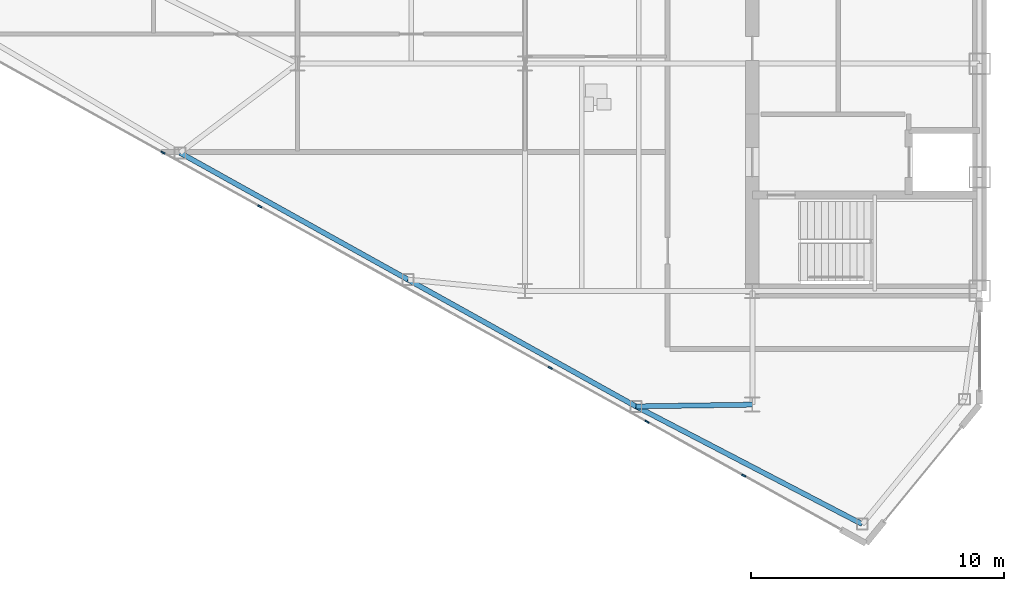
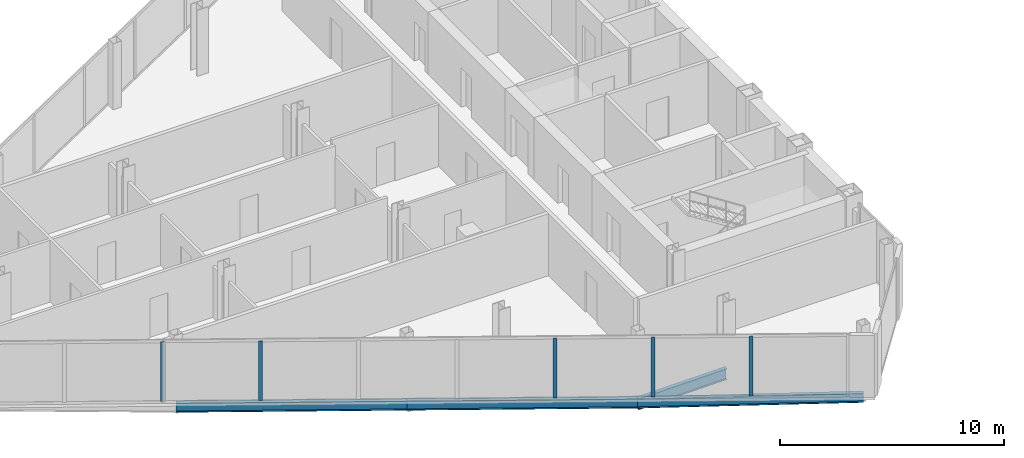
# One storey, part 3 of 26: 5 members, 4 beams, 1 element without a shape of its own.
"""IFC4 building model written with IfcOpenShell, lengths in metres."""

import ifcopenshell
import ifcopenshell.guid

model = None  # the IFC model being written
_history = None  # IfcOwnerHistory: only IFC2X3 demands one
_inside = {}  # id of a spatial element -> (the spatial element, [elements in it])
_under = {}  # id of a project, library or spatial element -> (it, [spatial elements below it])
_declared = {}  # id of a project -> (the project, [libraries it declares])
_typed = {}  # id of a type object -> (the type object, [elements of that type])
_made_of = {}  # id of a material, layer set ... -> (it, [elements and type objects made of it])


def new_model(schema):
    """Start an empty IFC model of exactly this schema.

    Asked for "IFC4X3", IfcOpenShell would pick the latest addendum, in which some entities
    have other attributes; the version numbers below select the first issue.
    IFC2X3 requires an IfcOwnerHistory on every rooted entity: one is made here for all.
    """
    global model, _history
    if schema == "IFC4X3":
        model = ifcopenshell.file(schema_version=(4, 3, 0, 0))
    else:
        model = ifcopenshell.file(schema=schema)
    _inside.clear()
    _under.clear()
    _declared.clear()
    _typed.clear()
    _made_of.clear()
    _history = None
    if model.schema == "IFC2X3":
        org = make("IfcOrganization", Name="unknown")
        user = make(
            "IfcPersonAndOrganization",
            ThePerson=make("IfcPerson", FamilyName="unknown"),
            TheOrganization=org,
        )
        app = make(
            "IfcApplication",
            ApplicationDeveloper=org,
            Version="unknown",
            ApplicationFullName="unknown",
            ApplicationIdentifier="unknown",
        )
        _history = make(
            "IfcOwnerHistory",
            OwningUser=user,
            OwningApplication=app,
            ChangeAction="ADDED",
            CreationDate=0,
        )
    return model


def make(cls, **values):
    """One entity of the class cls with the attributes given. An attribute that is None is left unset."""
    return model.create_entity(
        cls, **{name: value for name, value in values.items() if value is not None}
    )


def rooted(cls, **values):
    """An entity with a GlobalId (a new one), such as an element, a storey or a relation."""
    return make(cls, GlobalId=ifcopenshell.guid.new(), OwnerHistory=_history, **values)


def si_unit(unit_type, name, prefix=None):
    """IfcSIUnit, for example si_unit("LENGTHUNIT", "METRE", prefix="MILLI")."""
    return make("IfcSIUnit", UnitType=unit_type, Prefix=prefix, Name=name)


def assignment(units):
    """IfcUnitAssignment: the units of a project."""
    return None if units is None else make("IfcUnitAssignment", Units=units)


def point(xyz):
    """IfcCartesianPoint."""
    return None if xyz is None else make("IfcCartesianPoint", Coordinates=xyz)


def direction(xyz):
    """IfcDirection."""
    return None if xyz is None else make("IfcDirection", DirectionRatios=xyz)


def frame(location, z_axis=None, x_axis=None):
    """IfcAxis2Placement3D, a coordinate frame: its origin and axes. An axis left out is left unset."""
    return make(
        "IfcAxis2Placement3D",
        Location=point(location),
        Axis=direction(z_axis),
        RefDirection=direction(x_axis),
    )


def frame_2d(location, x_axis=None):
    """IfcAxis2Placement2D, a coordinate frame in the plane: its origin and x axis."""
    return make(
        "IfcAxis2Placement2D", Location=point(location), RefDirection=direction(x_axis)
    )


def origin():
    """The frame at (0, 0, 0) with its axes left unset."""
    return frame((0.0, 0.0, 0.0))


def origin_2d():
    """The frame at (0, 0) in the plane with its x axis left unset."""
    return frame_2d((0.0, 0.0))


def place(relative_to, where):
    """IfcLocalPlacement: puts the frame where relative to a parent placement (None: the world)."""
    return make(
        "IfcLocalPlacement", PlacementRelTo=relative_to, RelativePlacement=where
    )


def context(
    kind, dimensions, precision=None, world=None, true_north=None, identifier=None
):
    """IfcGeometricRepresentationContext, for example the 3D "Model" context."""
    return make(
        "IfcGeometricRepresentationContext",
        ContextIdentifier=identifier,
        ContextType=kind,
        CoordinateSpaceDimension=dimensions,
        Precision=precision,
        WorldCoordinateSystem=world,
        TrueNorth=true_north,
    )


def subcontext(parent, identifier, kind, view, scale=None):
    """IfcGeometricRepresentationSubContext, for example "Body" below "Model"."""
    return make(
        "IfcGeometricRepresentationSubContext",
        ContextIdentifier=identifier,
        ContextType=kind,
        ParentContext=parent,
        TargetScale=scale,
        TargetView=view,
    )


def project(units=None, contexts=None):
    """IfcProject with its units and contexts."""
    return rooted(
        "IfcProject",
        Name="project",
        RepresentationContexts=contexts,
        UnitsInContext=assignment(units),
    )


def spatial(cls, under=None, at=None, **own):
    """A site, building, storey or space (cls), placed at a placement, below another one or the project."""
    s = rooted(cls, ObjectPlacement=at, **own)
    if under is not None:
        _under.setdefault(under.id(), (under, []))[1].append(s)
    return s


def profile(cls, at=None, kind="AREA", **sizes):
    """A parametric profile (cls). Its sizes go by their IFC names, for example OverallWidth=200.0."""
    return make(cls, ProfileType=kind, Position=at, **sizes)


def rectangle(**sizes):
    """IfcRectangleProfileDef."""
    return profile("IfcRectangleProfileDef", **sizes)


def i_section(**sizes):
    """IfcIShapeProfileDef."""
    return profile("IfcIShapeProfileDef", **sizes)


def extrude(swept, where, along, depth):
    """IfcExtrudedAreaSolid: the profile swept, set in the frame where, extruded along a direction by depth."""
    return make(
        "IfcExtrudedAreaSolid",
        SweptArea=swept,
        Position=where,
        ExtrudedDirection=direction(along),
        Depth=depth,
    )


def shape(context_of_items, identifier, shape_type, items):
    """IfcShapeRepresentation: the items that make up one representation, for example the "Body"."""
    return make(
        "IfcShapeRepresentation",
        ContextOfItems=context_of_items,
        RepresentationIdentifier=identifier,
        RepresentationType=shape_type,
        Items=items,
    )


def source(mapping_origin, context_of_items, identifier, shape_type, items):
    """IfcRepresentationMap: a shape defined once, which mapped items show again and again."""
    return make(
        "IfcRepresentationMap",
        MappingOrigin=mapping_origin,
        MappedRepresentation=shape(context_of_items, identifier, shape_type, items),
    )


def transform(
    local_origin,
    x_axis=None,
    y_axis=None,
    z_axis=None,
    scale=None,
    scale2=None,
    scale3=None,
    uniform=True,
):
    """IfcCartesianTransformationOperator3D, or its non-uniform kind. x_axis, y_axis, z_axis: its Axis1, 2, 3."""
    if uniform:
        return make(
            "IfcCartesianTransformationOperator3D",
            Axis1=direction(x_axis),
            Axis2=direction(y_axis),
            LocalOrigin=point(local_origin),
            Scale=scale,
            Axis3=direction(z_axis),
        )
    return make(
        "IfcCartesianTransformationOperator3DnonUniform",
        Axis1=direction(x_axis),
        Axis2=direction(y_axis),
        LocalOrigin=point(local_origin),
        Scale=scale,
        Axis3=direction(z_axis),
        Scale2=scale2,
        Scale3=scale3,
    )


def mapped(mapping_source, mapping_target):
    """IfcMappedItem: shows the shape of a source again, moved by a transform."""
    return make(
        "IfcMappedItem", MappingSource=mapping_source, MappingTarget=mapping_target
    )


def material(Name=None, Category=None):
    """IfcMaterial."""
    return make("IfcMaterial", Name=Name, Category=Category)


def layer(
    of_material, thickness, ventilated=None, Name=None, Category=None, Priority=None
):
    """IfcMaterialLayer: one layer of a wall or slab, of a material (None: an air gap)."""
    return make(
        "IfcMaterialLayer",
        Material=of_material,
        LayerThickness=thickness,
        IsVentilated=ventilated,
        Name=Name,
        Category=Category,
        Priority=Priority,
    )


def layer_set(layers, Name=None):
    """IfcMaterialLayerSet."""
    return make("IfcMaterialLayerSet", MaterialLayers=layers, LayerSetName=Name)


def material_profile(
    of_material, cross_section, Name=None, Category=None, Priority=None
):
    """IfcMaterialProfile: a cross section and its material."""
    return make(
        "IfcMaterialProfile",
        Name=Name,
        Material=of_material,
        Profile=cross_section,
        Priority=Priority,
        Category=Category,
    )


def profile_set(profiles, Name=None, composite=None):
    """IfcMaterialProfileSet."""
    return make(
        "IfcMaterialProfileSet",
        Name=Name,
        MaterialProfiles=profiles,
        CompositeProfile=composite,
    )


def made_of(thing, what):
    """Note that an element or type object is made of a material, layer set ...; save() writes the relation."""
    if what is not None:
        _made_of.setdefault(what.id(), (what, []))[1].append(thing)
    return thing


def type_object(cls, material=None, **own):
    """A type object (cls), such as IfcWallType, which elements share."""
    return made_of(rooted(cls, **own), material)


def type_shapes(of_type, sources):
    """Give a type object the sources (RepresentationMaps) that its elements show as mapped items."""
    of_type.RepresentationMaps = sources


def element(
    cls,
    number,
    at=None,
    inside=None,
    cuts=None,
    type_object=None,
    material=None,
    context=None,
    identifier="Body",
    shape_type=None,
    held_by="IfcProductDefinitionShape",
    body=None,
    shapes=None,
    **own,
):
    """One element of the class cls, such as IfcWall. Its Tag is "e" and its number.

    at: its placement. inside: the storey or other place that contains it. cuts: it is an
    opening in that element (IfcRelVoidsElement). A single representation is given by context,
    identifier, shape_type and body (its items); several are given by shapes. held_by: the class
    of the entity that holds the representations. save() writes the other relations.
    """
    e = rooted(cls, Tag="e%d" % number, ObjectPlacement=at, **own)
    if body is not None:
        shapes = [shape(context, identifier, shape_type, body)]
    if shapes is not None:
        e.Representation = make(held_by, Representations=shapes)
    if inside is not None:
        _inside.setdefault(inside.id(), (inside, []))[1].append(e)
    if cuts is not None:
        rooted(
            "IfcRelVoidsElement", RelatingBuildingElement=cuts, RelatedOpeningElement=e
        )
    if type_object is not None:
        _typed.setdefault(type_object.id(), (type_object, []))[1].append(e)
    return made_of(e, material)


def aggregate(whole, parts):
    """IfcRelAggregates: a whole, such as a stair, and the parts it consists of."""
    return rooted("IfcRelAggregates", RelatingObject=whole, RelatedObjects=parts)


def save(model, path):
    """Write the relations noted so far, then the file.

    IfcRelAggregates (storeys below a building ...), IfcRelContainedInSpatialStructure (elements
    in a storey), IfcRelDefinesByType, IfcRelAssociatesMaterial and IfcRelDeclares: one each for
    every whole, place, type object, material and project.
    """
    for whole, parts in _under.values():
        aggregate(whole, parts)
    for where, things in _inside.values():
        rooted(
            "IfcRelContainedInSpatialStructure",
            RelatedElements=things,
            RelatingStructure=where,
        )
    for kind, things in _typed.values():
        rooted("IfcRelDefinesByType", RelatedObjects=things, RelatingType=kind)
    for what, things in _made_of.values():
        rooted("IfcRelAssociatesMaterial", RelatedObjects=things, RelatingMaterial=what)
    for by, libraries in _declared.values():
        rooted("IfcRelDeclares", RelatingContext=by, RelatedDefinitions=libraries)
    model.write(path)


model = new_model("IFC4")

# Units and contexts
model_context = context("Model", 3, precision=1e-05, world=origin(), true_north=direction((0.0, 1.0)))
body_context = subcontext(model_context, "Body", "Model", "MODEL_VIEW")
ifc_project = project(units=[si_unit("LENGTHUNIT", "METRE"), si_unit("AREAUNIT", "SQUARE_METRE"), si_unit("VOLUMEUNIT", "CUBIC_METRE"), si_unit("PLANEANGLEUNIT", "RADIAN"), si_unit("MASSUNIT", "GRAM", prefix="KILO")], contexts=[model_context])

# Site, building, storey
site_placement = place(None, origin())
site = spatial("IfcSite", under=ifc_project, at=site_placement, CompositionType="ELEMENT")
building_placement = place(site_placement, origin())
building = spatial("IfcBuilding", under=site, at=building_placement, Name="Seokmaru Belvedere", CompositionType="ELEMENT")
storey_placement = place(building_placement, frame((0.0, 0.0, 174.300048828125)))
storey = spatial("IfcBuildingStorey", under=building, at=storey_placement, Name="L46", CompositionType="ELEMENT", Elevation=174.300048828125)

# Beams
ifc_material_1 = material(Name="Steel SM355 (355 MPa)", Category="steel")
ifc_material_profile_1 = material_profile(ifc_material_1, i_section(OverallWidth=0.199951171875, OverallDepth=0.5, WebThickness=0.010009765625, FlangeThickness=0.01611328125, at=origin_2d()), Name="H-500x200x10x16")
ifc_profile_set_1 = profile_set([ifc_material_profile_1], Name="Steel SM355 (355 MPa)")
beam_type_1 = type_object("IfcBeamType", Name="Perimeter Spandrel Beam H-500", PredefinedType="SPANDREL", material=ifc_profile_set_1)
shared_shape_1 = source(origin(), body_context, "Body", "SweptSolid", [
    extrude(i_section(OverallWidth=0.199951171875, OverallDepth=0.5, WebThickness=0.010009765625, FlangeThickness=0.01611328125, at=origin_2d()), origin(), (0.0, 0.0, 1.0), 10.09716796875),
])
beam_1_placement = place(storey_placement, frame((-32.146728515625, -22.731689453125, -0.469970703125), z_axis=(-0.887085728914, 0.461604711369, 0.0), x_axis=(-0.461604711369, -0.887085728914, 0.0)))
element("IfcBeam", 1, at=beam_1_placement, inside=storey, type_object=beam_type_1, Name="L46 W Faceted Flank Spandrel S-1", PredefinedType="SPANDREL", context=body_context, shape_type="MappedRepresentation", body=[
    mapped(shared_shape_1, transform((0.0, 0.0, 0.0), scale=1.0)),
])
shared_shape_2 = source(origin(), body_context, "Body", "SweptSolid", [
    extrude(i_section(OverallWidth=0.199951171875, OverallDepth=0.5, WebThickness=0.010009765625, FlangeThickness=0.01611328125, at=origin_2d()), origin(), (0.0, 0.0, 1.0), 10.327392578125),
])
type_shapes(beam_type_1, [shared_shape_1, shared_shape_2])
for number, where, z_axis, x_axis, name in (
    (2, (-41.103759765625, -18.07080078125, -0.469970703125), (-0.873924120588, 0.486062374037, 0.0), (-0.486062374037, -0.873924120588, 0.0), "L46 W Faceted Flank Spandrel S-2"),
    (3, (-50.129150390625, -13.051025390625, -0.469970703125), (-0.873934162361, 0.48604431882, 0.0), (-0.48604431882, -0.873934162361, 0.0), "L46 W Faceted Flank Spandrel S-3"),
):
    element("IfcBeam", number, at=place(storey_placement, frame(where, z_axis=z_axis, x_axis=x_axis)), inside=storey, type_object=beam_type_1, Name=name, PredefinedType="SPANDREL", context=body_context, shape_type="MappedRepresentation", body=[
        mapped(shared_shape_2, transform((0.0, 0.0, 0.0), scale=1.0)),
    ])
ifc_material_profile_2 = material_profile(ifc_material_1, i_section(OverallWidth=0.199951171875, OverallDepth=0.60009765625, WebThickness=0.010986328125, FlangeThickness=0.01708984375, at=origin_2d()), Name="H-600x200x11x17")
ifc_profile_set_2 = profile_set([ifc_material_profile_2], Name="Steel SM355 (355 MPa)")
beam_type_2 = type_object("IfcBeamType", Name="Primary Floor Girder H-600", PredefinedType="BEAM", material=ifc_profile_set_2)
shared_shape_3 = source(origin(), body_context, "Body", "SweptSolid", [
    extrude(i_section(OverallWidth=0.199951171875, OverallDepth=0.60009765625, WebThickness=0.010986328125, FlangeThickness=0.01708984375, at=origin_2d()), origin(), (0.0, 0.0, 1.0), 4.604248046875),
])
type_shapes(beam_type_2, [shared_shape_3])
beam_2_placement = place(storey_placement, frame((-41.103759765625, -18.07080078125, -0.52001953125), z_axis=(0.999881765622, 0.01537708607, 0.0), x_axis=(-0.01537708607, 0.999881765622, 0.0)))
element("IfcBeam", 4, at=beam_2_placement, inside=storey, type_object=beam_type_2, Name="L46 W Flank Radial Floor Girder S-1", PredefinedType="BEAM", context=body_context, shape_type="MappedRepresentation", body=[
    mapped(shared_shape_3, transform((0.0, 0.0, 0.0), scale=1.0)),
])

# Curtain wall, members
ifc_material_2 = material(Name="Bronze Triple Insulating Glass", Category="glass")
ifc_layer = layer(ifc_material_2, 0.179931640625)
ifc_layer_set = layer_set([ifc_layer], Name="Bronze Triple Insulating Glass")
curtain_wall_type = type_object("IfcCurtainWallType", Name="High-Rise Wind-Corner Curtain Wall System CW-5", PredefinedType="NOTDEFINED", material=ifc_layer_set)
curtain_wall_placement = place(storey_placement, origin())
curtain_wall = element("IfcCurtainWall", 5, at=curtain_wall_placement, inside=storey, type_object=curtain_wall_type, Name="L46 Curtain Wall WF5", PredefinedType="NOTDEFINED")
ifc_material_3 = material(Name="Anodised Bronze Aluminium", Category="aluminium")
ifc_material_profile_3 = material_profile(ifc_material_3, rectangle(XDim=0.06494140625, YDim=0.179931640625, at=origin_2d()), Name="CW-M-65x180")
ifc_profile_set_3 = profile_set([ifc_material_profile_3], Name="Anodised Bronze Aluminium")
member_type = type_object("IfcMemberType", Name="Bronze Unitised Mullion 65x180", PredefinedType="MULLION", material=ifc_profile_set_3)
shared_shape_4 = source(origin(), body_context, "Body", "SweptSolid", [
    extrude(rectangle(XDim=0.06494140625, YDim=0.179931640625, at=origin_2d()), origin(), (0.0, 0.0, 1.0), 3.25),
])
type_shapes(member_type, [shared_shape_4])
member_1_placement = place(storey_placement, frame((-59.83056640625, -8.021728515625, 0.06494140625), z_axis=(0.0, 0.0, 1.0), x_axis=(0.486047125147, 0.873932601598, 0.0)))
member_1 = element("IfcMember", 6, at=member_1_placement, type_object=member_type, Name="CW:L46:WF5 Mullion 3", PredefinedType="MULLION", context=body_context, shape_type="MappedRepresentation", body=[
    mapped(shared_shape_4, transform((0.0, 0.0, 0.0), scale=1.0)),
])
member_2_placement = place(storey_placement, frame((-55.998291015625, -10.153076171875, 0.06494140625), z_axis=(0.0, 0.0, 1.0), x_axis=(0.486047125147, 0.873932601598, 0.0)))
member_2 = element("IfcMember", 7, at=member_2_placement, type_object=member_type, Name="CW:L46:WF5 Mullion 4", PredefinedType="MULLION", context=body_context, shape_type="MappedRepresentation", body=[
    mapped(shared_shape_4, transform((0.0, 0.0, 0.0), scale=1.0)),
])
member_3_placement = place(storey_placement, frame((-44.501708984375, -16.547119140625, 0.06494140625), z_axis=(0.0, 0.0, 1.0), x_axis=(0.486047125147, 0.873932601598, 0.0)))
member_3 = element("IfcMember", 8, at=member_3_placement, type_object=member_type, Name="CW:L46:WF5 Mullion 7", PredefinedType="MULLION", context=body_context, shape_type="MappedRepresentation", body=[
    mapped(shared_shape_4, transform((0.0, 0.0, 0.0), scale=1.0)),
])
member_4_placement = place(storey_placement, frame((-40.66943359375, -18.67822265625, 0.06494140625), z_axis=(0.0, 0.0, 1.0), x_axis=(0.486047125147, 0.873932601598, 0.0)))
member_4 = element("IfcMember", 9, at=member_4_placement, type_object=member_type, Name="CW:L46:WF5 Mullion 8", PredefinedType="MULLION", context=body_context, shape_type="MappedRepresentation", body=[
    mapped(shared_shape_4, transform((0.0, 0.0, 0.0), scale=1.0)),
])
member_5_placement = place(storey_placement, frame((-36.837158203125, -20.809814453125, 0.06494140625), z_axis=(0.0, 0.0, 1.0), x_axis=(0.486047125147, 0.873932601598, 0.0)))
member_5 = element("IfcMember", 10, at=member_5_placement, type_object=member_type, Name="CW:L46:WF5 Mullion 9", PredefinedType="MULLION", context=body_context, shape_type="MappedRepresentation", body=[
    mapped(shared_shape_4, transform((0.0, 0.0, 0.0), scale=1.0)),
])
aggregate(curtain_wall, [member_1, member_2, member_3, member_4, member_5])

save(model, "model.ifc")
